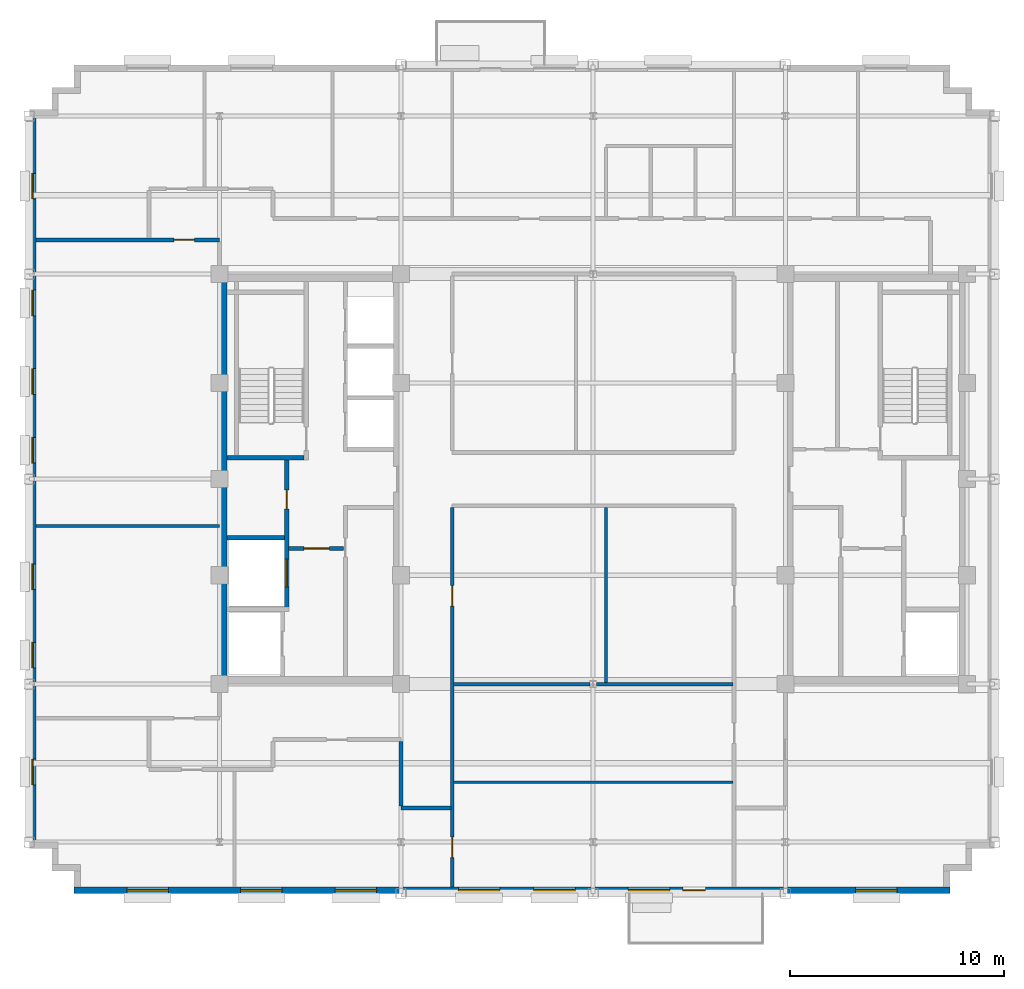
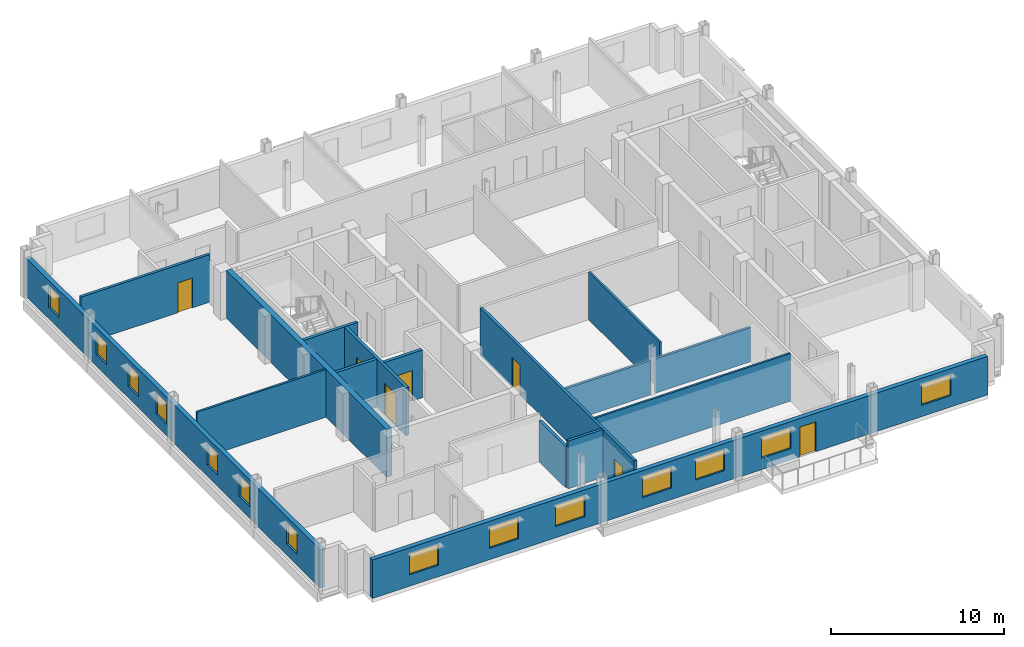
# One storey, part 6 of 13: 16 walls, 14 windows, 7 doors, 21 openings.
"""IFC4 building model written with IfcOpenShell, lengths in metres."""

from ifc_helpers import new_model, si_unit, direction, frame, frame_2d, origin, place, context, subcontext, project, spatial, rectangle, extrude, source, transform, mapped, material, layer, layer_set, type_object, type_shapes, element, fill, save


model = new_model("IFC4")

# Units and contexts
model_context = context("Model", 3, precision=1e-05, world=origin(), true_north=direction((0.0, 1.0)))
body_context = subcontext(model_context, "Body", "Model", "MODEL_VIEW")
ifc_project = project(units=[si_unit("LENGTHUNIT", "METRE"), si_unit("AREAUNIT", "SQUARE_METRE"), si_unit("VOLUMEUNIT", "CUBIC_METRE"), si_unit("PLANEANGLEUNIT", "RADIAN"), si_unit("MASSUNIT", "GRAM", prefix="KILO")], contexts=[model_context])

# Site, building, storey
site_placement = place(None, origin())
site = spatial("IfcSite", under=ifc_project, at=site_placement, CompositionType="ELEMENT")
building_placement = place(site_placement, origin())
building = spatial("IfcBuilding", under=site, at=building_placement, Name="Nuvemarco Arch Tower", CompositionType="ELEMENT")
storey_placement = place(building_placement, frame((0.0, 0.0, 234.699951171875)))
storey = spatial("IfcBuildingStorey", under=building, at=storey_placement, Name="L62", CompositionType="ELEMENT", Elevation=234.699951171875)

# Wall, openings, door, windows
ifc_material_1 = material(Name="Precast concrete C45/55", Category="concrete")
ifc_layer_1 = layer(ifc_material_1, 0.300048828125, Name="EW-HIGH-300")
ifc_layer_set_1 = layer_set([ifc_layer_1], Name="Precast concrete C45/55")
wall_type_1 = type_object("IfcWallType", Name="EW-HIGH-300", PredefinedType="STANDARD", material=ifc_layer_set_1)
wall_1_placement = place(storey_placement, frame((-24.300048828125, -19.25, 0.0), z_axis=(0.0, 0.0, 1.0), x_axis=(1.0, 0.0, 0.0)))
wall_1 = element("IfcWall", 1, at=wall_1_placement, inside=storey, type_object=wall_type_1, Name="L62 exterior precast facade wall 1", PredefinedType="STANDARD", context=body_context, shape_type="SweptSolid", body=[
    extrude(rectangle(XDim=41.0, YDim=0.300048828125, at=frame_2d((20.5, 0.0))), origin(), (0.0, 0.0, 1.0), 2.705078125),
])
opening_1_placement = place(wall_1_placement, frame((29.550048828125, 0.0, 0.0), z_axis=(0.0, 0.0, 1.0), x_axis=(-1.0, 0.0, 0.0)))
opening_1 = element("IfcOpeningElement", 2, at=opening_1_placement, cuts=wall_1, Name="Opening ED-5", PredefinedType="OPENING", context=body_context, shape_type="SweptSolid", body=[
    extrude(rectangle(XDim=1.050048828125, YDim=2.10009765625, at=frame_2d((0.52490234375, 1.050048828125))), frame((0.0, 0.159912109375, 0.0), z_axis=(0.0, -1.0, 0.0), x_axis=(1.0, 0.0, 0.0)), (0.0, 0.0, 1.0), 0.320068359375),
])
opening_2_placement = place(wall_1_placement, frame((2.46240234375, 0.0, 0.800048828125)))
opening_2 = element("IfcOpeningElement", 3, at=opening_2_placement, cuts=wall_1, Name="Opening WN-7", PredefinedType="OPENING", context=body_context, shape_type="SweptSolid", body=[
    extrude(rectangle(XDim=1.949951171875, YDim=1.47998046875, at=frame_2d((0.97509765625, 0.739990234375))), frame((0.0, 0.159912109375, 0.0), z_axis=(0.0, -1.0, 0.0), x_axis=(1.0, 0.0, 0.0)), (0.0, 0.0, 1.0), 0.320068359375),
])
opening_3_placement = place(wall_1_placement, frame((7.78759765625, 0.0, 0.800048828125)))
opening_3 = element("IfcOpeningElement", 4, at=opening_3_placement, cuts=wall_1, Name="Opening WN-7", PredefinedType="OPENING", context=body_context, shape_type="SweptSolid", body=[
    extrude(rectangle(XDim=1.949951171875, YDim=1.47998046875, at=frame_2d((0.97509765625, 0.739990234375))), frame((0.0, 0.159912109375, 0.0), z_axis=(0.0, -1.0, 0.0), x_axis=(1.0, 0.0, 0.0)), (0.0, 0.0, 1.0), 0.320068359375),
])
opening_4_placement = place(wall_1_placement, frame((12.21240234375, 0.0, 0.800048828125)))
opening_4 = element("IfcOpeningElement", 5, at=opening_4_placement, cuts=wall_1, Name="Opening WN-7", PredefinedType="OPENING", context=body_context, shape_type="SweptSolid", body=[
    extrude(rectangle(XDim=1.949951171875, YDim=1.47998046875, at=frame_2d((0.97509765625, 0.739990234375))), frame((0.0, 0.159912109375, 0.0), z_axis=(0.0, -1.0, 0.0), x_axis=(1.0, 0.0, 0.0)), (0.0, 0.0, 1.0), 0.320068359375),
])
opening_5_placement = place(wall_1_placement, frame((17.987548828125, 0.0, 0.800048828125)))
opening_5 = element("IfcOpeningElement", 6, at=opening_5_placement, cuts=wall_1, Name="Opening WN-7", PredefinedType="OPENING", context=body_context, shape_type="SweptSolid", body=[
    extrude(rectangle(XDim=1.949951171875, YDim=1.47998046875, at=frame_2d((0.97509765625, 0.739990234375))), frame((0.0, 0.159912109375, 0.0), z_axis=(0.0, -1.0, 0.0), x_axis=(1.0, 0.0, 0.0)), (0.0, 0.0, 1.0), 0.320068359375),
])
opening_6_placement = place(wall_1_placement, frame((21.512451171875, 0.0, 0.800048828125)))
opening_6 = element("IfcOpeningElement", 7, at=opening_6_placement, cuts=wall_1, Name="Opening WN-7", PredefinedType="OPENING", context=body_context, shape_type="SweptSolid", body=[
    extrude(rectangle(XDim=1.949951171875, YDim=1.47998046875, at=frame_2d((0.97509765625, 0.739990234375))), frame((0.0, 0.159912109375, 0.0), z_axis=(0.0, -1.0, 0.0), x_axis=(1.0, 0.0, 0.0)), (0.0, 0.0, 1.0), 0.320068359375),
])
opening_7_placement = place(wall_1_placement, frame((25.9375, 0.0, 0.800048828125)))
opening_7 = element("IfcOpeningElement", 8, at=opening_7_placement, cuts=wall_1, Name="Opening WN-7", PredefinedType="OPENING", context=body_context, shape_type="SweptSolid", body=[
    extrude(rectangle(XDim=1.949951171875, YDim=1.47998046875, at=frame_2d((0.97509765625, 0.739990234375))), frame((0.0, 0.159912109375, 0.0), z_axis=(0.0, -1.0, 0.0), x_axis=(1.0, 0.0, 0.0)), (0.0, 0.0, 1.0), 0.320068359375),
])
opening_8_placement = place(wall_1_placement, frame((36.58740234375, 0.0, 0.800048828125)))
opening_8 = element("IfcOpeningElement", 9, at=opening_8_placement, cuts=wall_1, Name="Opening WN-7", PredefinedType="OPENING", context=body_context, shape_type="SweptSolid", body=[
    extrude(rectangle(XDim=1.949951171875, YDim=1.47998046875, at=frame_2d((0.97509765625, 0.739990234375))), frame((0.0, 0.159912109375, 0.0), z_axis=(0.0, -1.0, 0.0), x_axis=(1.0, 0.0, 0.0)), (0.0, 0.0, 1.0), 0.320068359375),
])
ifc_material_2 = material(Name="Anodised bronze and laminated glass", Category="glass")
door_type_1 = type_object("IfcDoorType", Name="DR-EXT-TERR", OperationType="NOTDEFINED", PredefinedType="DOOR", material=ifc_material_2)
shared_shape_1 = source(origin(), body_context, "Body", "SweptSolid", [
    extrude(rectangle(XDim=1.050048828125, YDim=2.10009765625, at=frame_2d((0.52490234375, 1.050048828125))), frame((0.0, 0.02490234375, 0.0), z_axis=(0.0, -1.0, 0.0), x_axis=(1.0, 0.0, 0.0)), (0.0, 0.0, 1.0), 0.050048828125),
])
type_shapes(door_type_1, [shared_shape_1])
door_1_placement = place(opening_1_placement, origin())
door_1 = element("IfcDoor", 10, at=door_1_placement, inside=storey, type_object=door_type_1, Name="L62 spiral terrace access door", OperationType="SINGLE_SWING_RIGHT", OverallHeight=2.10009765625, OverallWidth=1.050048828125, PredefinedType="DOOR", context=body_context, shape_type="MappedRepresentation", body=[
    mapped(shared_shape_1, transform((0.0, 0.0, 0.0), scale=1.0)),
])
fill(opening_1, door_1)
ifc_material_3 = material(Name="Insulated solar-control glass", Category="glass")
window_type_1 = type_object("IfcWindowType", Name="WN-HIGH-1950x1480", PartitioningType="DOUBLE_PANEL_VERTICAL", PredefinedType="WINDOW", material=ifc_material_3)
shared_shape_2 = source(origin(), body_context, "Body", "SweptSolid", [
    extrude(rectangle(XDim=1.949951171875, YDim=1.47998046875, at=frame_2d((0.97509765625, 0.739990234375))), frame((0.0, 0.030029296875, 0.0), z_axis=(0.0, -1.0, 0.0), x_axis=(1.0, 0.0, 0.0)), (0.0, 0.0, 1.0), 0.06005859375),
])
type_shapes(window_type_1, [shared_shape_2])
window_1_placement = place(opening_2_placement, origin())
window_1 = element("IfcWindow", 11, at=window_1_placement, inside=storey, type_object=window_type_1, Name="L62 punched facade window 1", OverallHeight=1.47998046875, OverallWidth=1.949951171875, PartitioningType="SINGLE_PANEL", PredefinedType="WINDOW", context=body_context, shape_type="MappedRepresentation", body=[
    mapped(shared_shape_2, transform((0.0, 0.0, 0.0), scale=1.0)),
])
fill(opening_2, window_1)
window_2_placement = place(opening_3_placement, origin())
window_2 = element("IfcWindow", 12, at=window_2_placement, inside=storey, type_object=window_type_1, Name="L62 punched facade window 2", OverallHeight=1.47998046875, OverallWidth=1.949951171875, PartitioningType="SINGLE_PANEL", PredefinedType="WINDOW", context=body_context, shape_type="MappedRepresentation", body=[
    mapped(shared_shape_2, transform((0.0, 0.0, 0.0), scale=1.0)),
])
fill(opening_3, window_2)
window_3_placement = place(opening_4_placement, origin())
window_3 = element("IfcWindow", 13, at=window_3_placement, inside=storey, type_object=window_type_1, Name="L62 punched facade window 3", OverallHeight=1.47998046875, OverallWidth=1.949951171875, PartitioningType="SINGLE_PANEL", PredefinedType="WINDOW", context=body_context, shape_type="MappedRepresentation", body=[
    mapped(shared_shape_2, transform((0.0, 0.0, 0.0), scale=1.0)),
])
fill(opening_4, window_3)
window_4_placement = place(opening_5_placement, origin())
window_4 = element("IfcWindow", 14, at=window_4_placement, inside=storey, type_object=window_type_1, Name="L62 punched facade window 4", OverallHeight=1.47998046875, OverallWidth=1.949951171875, PartitioningType="SINGLE_PANEL", PredefinedType="WINDOW", context=body_context, shape_type="MappedRepresentation", body=[
    mapped(shared_shape_2, transform((0.0, 0.0, 0.0), scale=1.0)),
])
fill(opening_5, window_4)
window_5_placement = place(opening_6_placement, origin())
window_5 = element("IfcWindow", 15, at=window_5_placement, inside=storey, type_object=window_type_1, Name="L62 punched facade window 5", OverallHeight=1.47998046875, OverallWidth=1.949951171875, PartitioningType="SINGLE_PANEL", PredefinedType="WINDOW", context=body_context, shape_type="MappedRepresentation", body=[
    mapped(shared_shape_2, transform((0.0, 0.0, 0.0), scale=1.0)),
])
fill(opening_6, window_5)
window_6_placement = place(opening_7_placement, origin())
window_6 = element("IfcWindow", 16, at=window_6_placement, inside=storey, type_object=window_type_1, Name="L62 punched facade window 6", OverallHeight=1.47998046875, OverallWidth=1.949951171875, PartitioningType="SINGLE_PANEL", PredefinedType="WINDOW", context=body_context, shape_type="MappedRepresentation", body=[
    mapped(shared_shape_2, transform((0.0, 0.0, 0.0), scale=1.0)),
])
fill(opening_7, window_6)
window_7_placement = place(opening_8_placement, origin())
window_7 = element("IfcWindow", 17, at=window_7_placement, inside=storey, type_object=window_type_1, Name="L62 punched facade window 8", OverallHeight=1.47998046875, OverallWidth=1.949951171875, PartitioningType="SINGLE_PANEL", PredefinedType="WINDOW", context=body_context, shape_type="MappedRepresentation", body=[
    mapped(shared_shape_2, transform((0.0, 0.0, 0.0), scale=1.0)),
])
fill(opening_8, window_7)

# Wall, openings, windows
wall_2_placement = place(storey_placement, frame((-26.25, -17.00390625, 0.0), z_axis=(0.0, 0.0, 1.0), x_axis=(0.0, 1.0, 0.0)))
wall_2 = element("IfcWall", 18, at=wall_2_placement, inside=storey, type_object=wall_type_1, Name="L62 exterior precast facade wall 16", PredefinedType="STANDARD", context=body_context, shape_type="SweptSolid", body=[
    extrude(rectangle(XDim=34.0078125, YDim=0.300048828125, at=frame_2d((17.00390625, 0.0))), origin(), (0.0, 0.0, 1.0), 2.705078125),
])
opening_9_placement = place(wall_2_placement, frame((2.686279296875, 0.0, 0.800048828125)))
opening_9 = element("IfcOpeningElement", 19, at=opening_9_placement, cuts=wall_2, Name="Opening WN-8", PredefinedType="OPENING", context=body_context, shape_type="SweptSolid", body=[
    extrude(rectangle(XDim=1.199951171875, YDim=1.47998046875, at=frame_2d((0.60009765625, 0.739990234375))), frame((0.0, 0.159912109375, 0.0), z_axis=(0.0, -1.0, 0.0), x_axis=(1.0, 0.0, 0.0)), (0.0, 0.0, 1.0), 0.320068359375),
])
opening_10_placement = place(wall_2_placement, frame((8.158935546875, 0.0, 0.800048828125)))
opening_10 = element("IfcOpeningElement", 20, at=opening_10_placement, cuts=wall_2, Name="Opening WN-8", PredefinedType="OPENING", context=body_context, shape_type="SweptSolid", body=[
    extrude(rectangle(XDim=1.199951171875, YDim=1.47998046875, at=frame_2d((0.60009765625, 0.739990234375))), frame((0.0, 0.159912109375, 0.0), z_axis=(0.0, -1.0, 0.0), x_axis=(1.0, 0.0, 0.0)), (0.0, 0.0, 1.0), 0.320068359375),
])
opening_11_placement = place(wall_2_placement, frame((11.831298828125, 0.0, 0.800048828125)))
opening_11 = element("IfcOpeningElement", 21, at=opening_11_placement, cuts=wall_2, Name="Opening WN-8", PredefinedType="OPENING", context=body_context, shape_type="SweptSolid", body=[
    extrude(rectangle(XDim=1.199951171875, YDim=1.47998046875, at=frame_2d((0.60009765625, 0.739990234375))), frame((0.0, 0.159912109375, 0.0), z_axis=(0.0, -1.0, 0.0), x_axis=(1.0, 0.0, 0.0)), (0.0, 0.0, 1.0), 0.320068359375),
])
opening_12_placement = place(wall_2_placement, frame((17.75390625, 0.0, 0.800048828125)))
opening_12 = element("IfcOpeningElement", 22, at=opening_12_placement, cuts=wall_2, Name="Opening WN-8", PredefinedType="OPENING", context=body_context, shape_type="SweptSolid", body=[
    extrude(rectangle(XDim=1.199951171875, YDim=1.47998046875, at=frame_2d((0.60009765625, 0.739990234375))), frame((0.0, 0.159912109375, 0.0), z_axis=(0.0, -1.0, 0.0), x_axis=(1.0, 0.0, 0.0)), (0.0, 0.0, 1.0), 0.320068359375),
])
opening_13_placement = place(wall_2_placement, frame((20.9765625, 0.0, 0.800048828125)))
opening_13 = element("IfcOpeningElement", 23, at=opening_13_placement, cuts=wall_2, Name="Opening WN-8", PredefinedType="OPENING", context=body_context, shape_type="SweptSolid", body=[
    extrude(rectangle(XDim=1.199951171875, YDim=1.47998046875, at=frame_2d((0.60009765625, 0.739990234375))), frame((0.0, 0.159912109375, 0.0), z_axis=(0.0, -1.0, 0.0), x_axis=(1.0, 0.0, 0.0)), (0.0, 0.0, 1.0), 0.320068359375),
])
opening_14_placement = place(wall_2_placement, frame((24.649169921875, 0.0, 0.800048828125)))
opening_14 = element("IfcOpeningElement", 24, at=opening_14_placement, cuts=wall_2, Name="Opening WN-8", PredefinedType="OPENING", context=body_context, shape_type="SweptSolid", body=[
    extrude(rectangle(XDim=1.199951171875, YDim=1.47998046875, at=frame_2d((0.60009765625, 0.739990234375))), frame((0.0, 0.159912109375, 0.0), z_axis=(0.0, -1.0, 0.0), x_axis=(1.0, 0.0, 0.0)), (0.0, 0.0, 1.0), 0.320068359375),
])
opening_15_placement = place(wall_2_placement, frame((30.12158203125, 0.0, 0.800048828125)))
opening_15 = element("IfcOpeningElement", 25, at=opening_15_placement, cuts=wall_2, Name="Opening WN-8", PredefinedType="OPENING", context=body_context, shape_type="SweptSolid", body=[
    extrude(rectangle(XDim=1.199951171875, YDim=1.47998046875, at=frame_2d((0.60009765625, 0.739990234375))), frame((0.0, 0.159912109375, 0.0), z_axis=(0.0, -1.0, 0.0), x_axis=(1.0, 0.0, 0.0)), (0.0, 0.0, 1.0), 0.320068359375),
])
window_type_2 = type_object("IfcWindowType", Name="WN-HIGH-1200x1480", PartitioningType="SINGLE_PANEL", PredefinedType="WINDOW", material=ifc_material_3)
shared_shape_3 = source(origin(), body_context, "Body", "SweptSolid", [
    extrude(rectangle(XDim=1.199951171875, YDim=1.47998046875, at=frame_2d((0.60009765625, 0.739990234375))), frame((0.0, 0.030029296875, 0.0), z_axis=(0.0, -1.0, 0.0), x_axis=(1.0, 0.0, 0.0)), (0.0, 0.0, 1.0), 0.06005859375),
])
type_shapes(window_type_2, [shared_shape_3])
window_8_placement = place(opening_9_placement, origin())
window_8 = element("IfcWindow", 26, at=window_8_placement, inside=storey, type_object=window_type_2, Name="L62 punched facade window 1", OverallHeight=1.47998046875, OverallWidth=1.199951171875, PartitioningType="SINGLE_PANEL", PredefinedType="WINDOW", context=body_context, shape_type="MappedRepresentation", body=[
    mapped(shared_shape_3, transform((0.0, 0.0, 0.0), scale=1.0)),
])
fill(opening_9, window_8)
window_9_placement = place(opening_10_placement, origin())
window_9 = element("IfcWindow", 27, at=window_9_placement, inside=storey, type_object=window_type_2, Name="L62 punched facade window 2", OverallHeight=1.47998046875, OverallWidth=1.199951171875, PartitioningType="SINGLE_PANEL", PredefinedType="WINDOW", context=body_context, shape_type="MappedRepresentation", body=[
    mapped(shared_shape_3, transform((0.0, 0.0, 0.0), scale=1.0)),
])
fill(opening_10, window_9)
window_10_placement = place(opening_11_placement, origin())
window_10 = element("IfcWindow", 28, at=window_10_placement, inside=storey, type_object=window_type_2, Name="L62 punched facade window 3", OverallHeight=1.47998046875, OverallWidth=1.199951171875, PartitioningType="SINGLE_PANEL", PredefinedType="WINDOW", context=body_context, shape_type="MappedRepresentation", body=[
    mapped(shared_shape_3, transform((0.0, 0.0, 0.0), scale=1.0)),
])
fill(opening_11, window_10)
window_11_placement = place(opening_12_placement, origin())
window_11 = element("IfcWindow", 29, at=window_11_placement, inside=storey, type_object=window_type_2, Name="L62 punched facade window 4", OverallHeight=1.47998046875, OverallWidth=1.199951171875, PartitioningType="SINGLE_PANEL", PredefinedType="WINDOW", context=body_context, shape_type="MappedRepresentation", body=[
    mapped(shared_shape_3, transform((0.0, 0.0, 0.0), scale=1.0)),
])
fill(opening_12, window_11)
window_12_placement = place(opening_13_placement, origin())
window_12 = element("IfcWindow", 30, at=window_12_placement, inside=storey, type_object=window_type_2, Name="L62 punched facade window 5", OverallHeight=1.47998046875, OverallWidth=1.199951171875, PartitioningType="SINGLE_PANEL", PredefinedType="WINDOW", context=body_context, shape_type="MappedRepresentation", body=[
    mapped(shared_shape_3, transform((0.0, 0.0, 0.0), scale=1.0)),
])
fill(opening_13, window_12)
window_13_placement = place(opening_14_placement, origin())
window_13 = element("IfcWindow", 31, at=window_13_placement, inside=storey, type_object=window_type_2, Name="L62 punched facade window 6", OverallHeight=1.47998046875, OverallWidth=1.199951171875, PartitioningType="SINGLE_PANEL", PredefinedType="WINDOW", context=body_context, shape_type="MappedRepresentation", body=[
    mapped(shared_shape_3, transform((0.0, 0.0, 0.0), scale=1.0)),
])
fill(opening_14, window_13)
window_14_placement = place(opening_15_placement, origin())
window_14 = element("IfcWindow", 32, at=window_14_placement, inside=storey, type_object=window_type_2, Name="L62 punched facade window 7", OverallHeight=1.47998046875, OverallWidth=1.199951171875, PartitioningType="SINGLE_PANEL", PredefinedType="WINDOW", context=body_context, shape_type="MappedRepresentation", body=[
    mapped(shared_shape_3, transform((0.0, 0.0, 0.0), scale=1.0)),
])
fill(opening_15, window_14)

# Walls
ifc_material_4 = material(Name="Concrete C50/60", Category="concrete")
ifc_layer_2 = layer(ifc_material_4, 0.35009765625, Name="WL-CORE-350")
ifc_layer_set_2 = layer_set([ifc_layer_2], Name="Concrete C50/60")
wall_type_2 = type_object("IfcWallType", Name="WL-CORE-350", PredefinedType="SHEAR", material=ifc_layer_set_2)
wall_3_placement = place(storey_placement, frame((-17.324951171875, -9.2548828125, 0.0), z_axis=(0.0, 0.0, 1.0), x_axis=(0.0, 1.0, 0.0)))
element("IfcWall", 33, at=wall_3_placement, inside=storey, type_object=wall_type_2, Name="L62 W-core shear wall W", PredefinedType="SHEAR", context=body_context, shape_type="SweptSolid", body=[
    extrude(rectangle(XDim=18.509765625, YDim=0.35009765625, at=frame_2d((9.2548828125, 0.0))), origin(), (0.0, 0.0, 1.0), 3.3701171875),
])
ifc_material_5 = material(Name="Fire-rated gypsum drywall partition")
ifc_layer_3 = layer(ifc_material_5, 0.179931640625, Name="WL-CORR-180")
ifc_layer_set_3 = layer_set([ifc_layer_3], Name="Fire-rated gypsum drywall partition")
wall_type_3 = type_object("IfcWallType", Name="WL-CORR-180", PredefinedType="PARTITIONING", material=ifc_layer_set_3)
wall_4_placement = place(storey_placement, frame((-9.0, -15.39990234375, 0.0), z_axis=(0.0, 0.0, 1.0), x_axis=(1.0, 0.0, 0.0)))
element("IfcWall", 34, at=wall_4_placement, inside=storey, type_object=wall_type_3, Name="L62 interior wall IW-L62-001", PredefinedType="PARTITIONING", context=body_context, shape_type="SweptSolid", body=[
    extrude(rectangle(XDim=2.339111328125, YDim=0.179931640625, at=frame_2d((1.16943359375, 0.0))), origin(), (0.0, 0.0, 1.0), 3.360107421875),
])

# Wall, opening, door
wall_5_placement = place(storey_placement, frame((-26.10009765625, 11.199951171875, 0.0), z_axis=(0.0, 0.0, 1.0), x_axis=(1.0, 0.0, 0.0)))
wall_5 = element("IfcWall", 35, at=wall_5_placement, inside=storey, type_object=wall_type_3, Name="L62 interior wall IW-L62-014", PredefinedType="PARTITIONING", context=body_context, shape_type="SweptSolid", body=[
    extrude(rectangle(XDim=8.60009765625, YDim=0.179931640625, at=frame_2d((4.300048828125, 0.0))), origin(), (0.0, 0.0, 1.0), 3.360107421875),
])
opening_16_placement = place(wall_5_placement, frame((6.469970703125, 0.0, 0.0)))
opening_16 = element("IfcOpeningElement", 36, at=opening_16_placement, cuts=wall_5, Name="Opening FD-5", PredefinedType="OPENING", context=body_context, shape_type="SweptSolid", body=[
    extrude(rectangle(XDim=0.9599609375, YDim=2.10009765625, at=frame_2d((0.47998046875, 1.050048828125))), frame((0.0, 0.099853515625, 0.0), z_axis=(0.0, -1.0, 0.0), x_axis=(1.0, 0.0, 0.0)), (0.0, 0.0, 1.0), 0.199951171875),
])
ifc_material_6 = material(Name="Timber fire door", Category="wood")
door_type_2 = type_object("IfcDoorType", Name="DR-CORR-FD", OperationType="NOTDEFINED", PredefinedType="DOOR", material=ifc_material_6)
shared_shape_4 = source(origin(), body_context, "Body", "SweptSolid", [
    extrude(rectangle(XDim=0.9599609375, YDim=2.10009765625, at=frame_2d((0.47998046875, 1.050048828125))), frame((0.0, 0.02490234375, 0.0), z_axis=(0.0, -1.0, 0.0), x_axis=(1.0, 0.0, 0.0)), (0.0, 0.0, 1.0), 0.050048828125),
])
type_shapes(door_type_2, [shared_shape_4])
door_2_placement = place(opening_16_placement, origin())
door_2 = element("IfcDoor", 37, at=door_2_placement, inside=storey, type_object=door_type_2, Name="L62 door DR-L62-W_2", OperationType="SINGLE_SWING_RIGHT", OverallHeight=2.10009765625, OverallWidth=0.9599609375, PredefinedType="DOOR", context=body_context, shape_type="MappedRepresentation", body=[
    mapped(shared_shape_4, transform((0.0, 0.0, 0.0), scale=1.0)),
])
fill(opening_16, door_2)

# Wall
wall_6_placement = place(storey_placement, frame((-9.0, -15.31396484375, 0.0), z_axis=(0.0, 0.0, 1.0), x_axis=(0.0, 1.0, 0.0)))
element("IfcWall", 38, at=wall_6_placement, inside=storey, type_object=wall_type_3, Name="L62 interior wall IW-L62-027", PredefinedType="PARTITIONING", context=body_context, shape_type="SweptSolid", body=[
    extrude(rectangle(XDim=3.028076171875, YDim=0.179931640625, at=frame_2d((1.51416015625, 0.0))), origin(), (0.0, 0.0, 1.0), 2.89208984375),
])

# Wall, openings, doors
wall_7_placement = place(storey_placement, frame((-6.60009765625, -19.10009765625, 0.0), z_axis=(0.0, 0.0, 1.0), x_axis=(0.0, 1.0, 0.0)))
wall_7 = element("IfcWall", 39, at=wall_7_placement, inside=storey, type_object=wall_type_3, Name="L62 interior wall IW-L62-028", PredefinedType="PARTITIONING", context=body_context, shape_type="SweptSolid", body=[
    extrude(rectangle(XDim=17.76416015625, YDim=0.179931640625, at=frame_2d((8.882080078125, 0.0))), origin(), (0.0, 0.0, 1.0), 3.360107421875),
])
opening_17_placement = place(wall_7_placement, frame((13.152099609375, 0.0, 0.0)))
opening_17 = element("IfcOpeningElement", 40, at=opening_17_placement, cuts=wall_7, Name="Opening FD-5", PredefinedType="OPENING", context=body_context, shape_type="SweptSolid", body=[
    extrude(rectangle(XDim=0.9599609375, YDim=2.10009765625, at=frame_2d((0.47998046875, 1.050048828125))), frame((0.0, 0.099853515625, 0.0), z_axis=(0.0, -1.0, 0.0), x_axis=(1.0, 0.0, 0.0)), (0.0, 0.0, 1.0), 0.199951171875),
])
opening_18_placement = place(wall_7_placement, frame((1.3701171875, 0.0, 0.0)))
opening_18 = element("IfcOpeningElement", 41, at=opening_18_placement, cuts=wall_7, Name="Opening FD-5", PredefinedType="OPENING", context=body_context, shape_type="SweptSolid", body=[
    extrude(rectangle(XDim=0.9599609375, YDim=2.10009765625, at=frame_2d((0.47998046875, 1.050048828125))), frame((0.0, 0.099853515625, 0.0), z_axis=(0.0, -1.0, 0.0), x_axis=(1.0, 0.0, 0.0)), (0.0, 0.0, 1.0), 0.199951171875),
])
door_3_placement = place(opening_17_placement, origin())
door_3 = element("IfcDoor", 42, at=door_3_placement, inside=storey, type_object=door_type_2, Name="L62 door DR-L62-C_S1", OperationType="SINGLE_SWING_RIGHT", OverallHeight=2.10009765625, OverallWidth=0.9599609375, PredefinedType="DOOR", context=body_context, shape_type="MappedRepresentation", body=[
    mapped(shared_shape_4, transform((0.0, 0.0, 0.0), scale=1.0)),
])
fill(opening_17, door_3)
door_4_placement = place(opening_18_placement, origin())
door_4 = element("IfcDoor", 43, at=door_4_placement, inside=storey, type_object=door_type_2, Name="L62 door DR-L62-S_4", OperationType="SINGLE_SWING_LEFT", OverallHeight=2.10009765625, OverallWidth=0.9599609375, PredefinedType="DOOR", context=body_context, shape_type="MappedRepresentation", body=[
    mapped(shared_shape_4, transform((0.0, 0.0, 0.0), scale=1.0)),
])
fill(opening_18, door_4)

# Walls
ifc_material_7 = material(Name="Glazed acoustic office partition")
ifc_layer_4 = layer(ifc_material_7, 0.1298828125, Name="WL-EXEC-130")
ifc_layer_set_4 = layer_set([ifc_layer_4], Name="Glazed acoustic office partition")
wall_type_4 = type_object("IfcWallType", Name="WL-EXEC-130", PredefinedType="PARTITIONING", material=ifc_layer_set_4)
wall_8_placement = place(storey_placement, frame((-6.5390625, -14.199951171875, 0.0), z_axis=(0.0, 0.0, 1.0), x_axis=(1.0, 0.0, 0.0)))
element("IfcWall", 44, at=wall_8_placement, inside=storey, type_object=wall_type_4, Name="L62 interior wall IW-L62-003", PredefinedType="PARTITIONING", context=body_context, shape_type="SweptSolid", body=[
    extrude(rectangle(XDim=13.078125, YDim=0.1298828125, at=frame_2d((6.5390625, 0.0))), origin(), (0.0, 0.0, 1.0), 3.360107421875),
])
ifc_material_8 = material(Name="Gypsum plasterboard partition")
ifc_layer_5 = layer(ifc_material_8, 0.139892578125, Name="WL-ROOM-140")
ifc_layer_set_5 = layer_set([ifc_layer_5], Name="Gypsum plasterboard partition")
wall_type_5 = type_object("IfcWallType", Name="WL-ROOM-140", PredefinedType="PARTITIONING", material=ifc_layer_set_5)
wall_9_placement = place(storey_placement, frame((-26.10009765625, -2.199951171875, 0.0), z_axis=(0.0, 0.0, 1.0), x_axis=(1.0, 0.0, 0.0)))
element("IfcWall", 45, at=wall_9_placement, inside=storey, type_object=wall_type_5, Name="L62 interior wall IW-L62-009", PredefinedType="PARTITIONING", context=body_context, shape_type="SweptSolid", body=[
    extrude(rectangle(XDim=8.60009765625, YDim=0.139892578125, at=frame_2d((4.300048828125, 0.0))), origin(), (0.0, 0.0, 1.0), 3.360107421875),
])
wall_10_placement = place(storey_placement, frame((0.60009765625, -9.52392578125, 0.0), z_axis=(0.0, 0.0, 1.0), x_axis=(0.0, 1.0, 0.0)))
element("IfcWall", 46, at=wall_10_placement, inside=storey, type_object=wall_type_5, Name="L62 interior wall IW-L62-032", PredefinedType="PARTITIONING", context=body_context, shape_type="SweptSolid", body=[
    extrude(rectangle(XDim=8.18798828125, YDim=0.139892578125, at=frame_2d((4.093994140625, 0.0))), origin(), (0.0, 0.0, 1.0), 3.360107421875),
])
ifc_layer_6 = layer(ifc_material_4, 0.199951171875, Name="WL-SHAFT-220")
ifc_layer_set_6 = layer_set([ifc_layer_6], Name="Concrete C50/60")
wall_type_6 = type_object("IfcWallType", Name="WL-SHAFT-220", PredefinedType="SHEAR", material=ifc_layer_set_6)
wall_11_placement = place(storey_placement, frame((-17.155029296875, 1.0, 0.0), z_axis=(0.0, 0.0, 1.0), x_axis=(1.0, 0.0, 0.0)))
element("IfcWall", 47, at=wall_11_placement, inside=storey, type_object=wall_type_6, Name="L62 structural shaft wall SW-L62-W-ST1S", PredefinedType="SHEAR", context=body_context, shape_type="SweptSolid", body=[
    extrude(rectangle(XDim=3.6201171875, YDim=0.199951171875, at=frame_2d((1.81005859375, 0.0))), origin(), (0.0, 0.0, 1.0), 3.3701171875),
])

# Wall, openings, doors
wall_12_placement = place(storey_placement, frame((-14.35009765625, -6.199951171875, 0.0), z_axis=(0.0, 0.0, 1.0), x_axis=(0.0, 1.0, 0.0)))
wall_12 = element("IfcWall", 48, at=wall_12_placement, inside=storey, type_object=wall_type_6, Name="L62 structural shaft wall SW-L62-W-SVE", PredefinedType="SHEAR", context=body_context, shape_type="SweptSolid", body=[
    extrude(rectangle(XDim=7.10498046875, YDim=0.199951171875, at=frame_2d((3.552490234375, 0.0))), origin(), (0.0, 0.0, 1.0), 3.3701171875),
])
opening_19_placement = place(wall_12_placement, frame((5.68994140625, 0.0, 0.0), z_axis=(0.0, 0.0, 1.0), x_axis=(-1.0, 0.0, 0.0)))
opening_19 = element("IfcOpeningElement", 49, at=opening_19_placement, cuts=wall_12, Name="Opening FD-4", PredefinedType="OPENING", context=body_context, shape_type="SweptSolid", body=[
    extrude(rectangle(XDim=0.8798828125, YDim=2.10009765625, at=frame_2d((0.43994140625, 1.050048828125))), frame((0.0, 0.10986328125, 0.0), z_axis=(0.0, -1.0, 0.0), x_axis=(1.0, 0.0, 0.0)), (0.0, 0.0, 1.0), 0.219970703125),
])
opening_20_placement = place(wall_12_placement, frame((1.14990234375, 0.0, 0.0)))
opening_20 = element("IfcOpeningElement", 50, at=opening_20_placement, cuts=wall_12, Name="Opening LD-3", PredefinedType="OPENING", context=body_context, shape_type="SweptSolid", body=[
    extrude(rectangle(XDim=1.300048828125, YDim=2.199951171875, at=frame_2d((0.64990234375, 1.10009765625))), frame((0.0, 0.10986328125, 0.0), z_axis=(0.0, -1.0, 0.0), x_axis=(1.0, 0.0, 0.0)), (0.0, 0.0, 1.0), 0.219970703125),
])
ifc_material_9 = material(Name="Anodised steel fire door", Category="steel")
door_type_3 = type_object("IfcDoorType", Name="DR-RISER-FD", OperationType="NOTDEFINED", PredefinedType="DOOR", material=ifc_material_9)
shared_shape_5 = source(origin(), body_context, "Body", "SweptSolid", [
    extrude(rectangle(XDim=0.8798828125, YDim=2.10009765625, at=frame_2d((0.43994140625, 1.050048828125))), frame((0.0, 0.02490234375, 0.0), z_axis=(0.0, -1.0, 0.0), x_axis=(1.0, 0.0, 0.0)), (0.0, 0.0, 1.0), 0.050048828125),
])
type_shapes(door_type_3, [shared_shape_5])
door_5_placement = place(opening_19_placement, origin())
door_5 = element("IfcDoor", 51, at=door_5_placement, inside=storey, type_object=door_type_3, Name="L62 door FD-L62-WRIS", OperationType="SINGLE_SWING_RIGHT", OverallHeight=2.10009765625, OverallWidth=0.8798828125, PredefinedType="DOOR", context=body_context, shape_type="MappedRepresentation", body=[
    mapped(shared_shape_5, transform((0.0, 0.0, 0.0), scale=1.0)),
])
fill(opening_19, door_5)
ifc_material_10 = material(Name="Stainless steel lift door", Category="steel")
door_type_4 = type_object("IfcDoorType", Name="DR-LIFT-SERV", OperationType="DOUBLE_DOOR_SLIDING", PredefinedType="DOOR", material=ifc_material_10)
shared_shape_6 = source(origin(), body_context, "Body", "SweptSolid", [
    extrude(rectangle(XDim=1.300048828125, YDim=2.199951171875, at=frame_2d((0.64990234375, 1.10009765625))), frame((0.0, 0.02490234375, 0.0), z_axis=(0.0, -1.0, 0.0), x_axis=(1.0, 0.0, 0.0)), (0.0, 0.0, 1.0), 0.050048828125),
])
type_shapes(door_type_4, [shared_shape_6])
door_6_placement = place(opening_20_placement, origin())
door_6 = element("IfcDoor", 52, at=door_6_placement, inside=storey, type_object=door_type_4, Name="L62 Lift landing sliding door SVL-1", OperationType="DOUBLE_DOOR_SLIDING", OverallHeight=2.199951171875, OverallWidth=1.300048828125, PredefinedType="DOOR", context=body_context, shape_type="MappedRepresentation", body=[
    mapped(shared_shape_6, transform((0.0, 0.0, 0.0), scale=1.0)),
])
fill(opening_20, door_6)

# Wall
wall_13_placement = place(storey_placement, frame((-17.155029296875, -2.75, 0.0), z_axis=(0.0, 0.0, 1.0), x_axis=(1.0, 0.0, 0.0)))
element("IfcWall", 53, at=wall_13_placement, inside=storey, type_object=wall_type_6, Name="L62 structural shaft wall SW-L62-W-SH2", PredefinedType="SHEAR", context=body_context, shape_type="SweptSolid", body=[
    extrude(rectangle(XDim=2.7099609375, YDim=0.199951171875, at=frame_2d((1.35498046875, 0.0))), origin(), (0.0, 0.0, 1.0), 3.3701171875),
])

# Wall, opening, door
wall_14_placement = place(storey_placement, frame((-14.2548828125, -3.25, 0.0), z_axis=(0.0, 0.0, 1.0), x_axis=(1.0, 0.0, 0.0)))
wall_14 = element("IfcWall", 54, at=wall_14_placement, inside=storey, type_object=wall_type_6, Name="L62 structural shaft wall SW-L62-W-FFN", PredefinedType="SHEAR", context=body_context, shape_type="SweptSolid", body=[
    extrude(rectangle(XDim=2.559814453125, YDim=0.199951171875, at=frame_2d((1.27978515625, 0.0))), origin(), (0.0, 0.0, 1.0), 3.3701171875),
])
opening_21_placement = place(wall_14_placement, frame((0.705078125, 0.0, 0.0)))
opening_21 = element("IfcOpeningElement", 55, at=opening_21_placement, cuts=wall_14, Name="Opening FD-2", PredefinedType="OPENING", context=body_context, shape_type="SweptSolid", body=[
    extrude(rectangle(XDim=1.199951171875, YDim=2.14990234375, at=frame_2d((0.60009765625, 1.074951171875))), frame((0.0, 0.10986328125, 0.0), z_axis=(0.0, -1.0, 0.0), x_axis=(1.0, 0.0, 0.0)), (0.0, 0.0, 1.0), 0.219970703125),
])
door_type_5 = type_object("IfcDoorType", Name="DR-FFLOB-FD", OperationType="NOTDEFINED", PredefinedType="DOOR", material=ifc_material_9)
shared_shape_7 = source(origin(), body_context, "Body", "SweptSolid", [
    extrude(rectangle(XDim=1.199951171875, YDim=2.14990234375, at=frame_2d((0.60009765625, 1.074951171875))), frame((0.0, 0.02490234375, 0.0), z_axis=(0.0, -1.0, 0.0), x_axis=(1.0, 0.0, 0.0)), (0.0, 0.0, 1.0), 0.050048828125),
])
type_shapes(door_type_5, [shared_shape_7])
door_7_placement = place(opening_21_placement, origin())
door_7 = element("IfcDoor", 56, at=door_7_placement, inside=storey, type_object=door_type_5, Name="L62 door FD-L62-WFF1", OperationType="SINGLE_SWING_RIGHT", OverallHeight=2.14990234375, OverallWidth=1.199951171875, PredefinedType="DOOR", context=body_context, shape_type="MappedRepresentation", body=[
    mapped(shared_shape_7, transform((0.0, 0.0, 0.0), scale=1.0)),
])
fill(opening_21, door_7)

# Walls
ifc_material_11 = material(Name="Acoustic gypsum drywall partition")
ifc_layer_7 = layer(ifc_material_11, 0.159912109375, Name="WL-TENANT-160")
ifc_layer_set_7 = layer_set([ifc_layer_7], Name="Acoustic gypsum drywall partition")
wall_type_7 = type_object("IfcWallType", Name="WL-TENANT-160", PredefinedType="PARTITIONING", material=ifc_layer_set_7)
for number, where, z_axis, x_axis, name in (
    (57, (-6.5390625, -9.60009765625, 0.0), (0.0, 0.0, 1.0), (1.0, 0.0, 0.0), "L62 interior wall IW-L62-007"),
    (58, (0.15087890625, -9.60009765625, 0.0), (0.0, 0.0, 1.0), (1.0, 0.0, 0.0), "L62 interior wall IW-L62-008"),
):
    element("IfcWall", number, at=place(storey_placement, frame(where, z_axis=z_axis, x_axis=x_axis)), inside=storey, type_object=wall_type_7, Name=name, PredefinedType="PARTITIONING", context=body_context, shape_type="SweptSolid", body=[
        extrude(rectangle(XDim=6.38818359375, YDim=0.159912109375, at=frame_2d((3.194091796875, 0.0))), origin(), (0.0, 0.0, 1.0), 2.405029296875),
    ])

save(model, "model.ifc")
